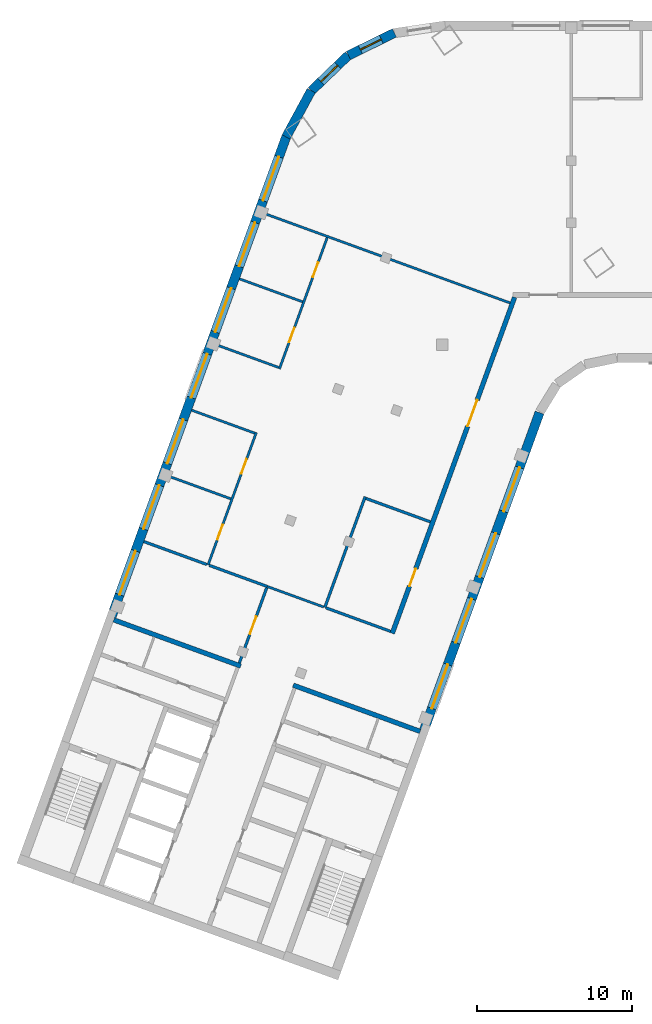
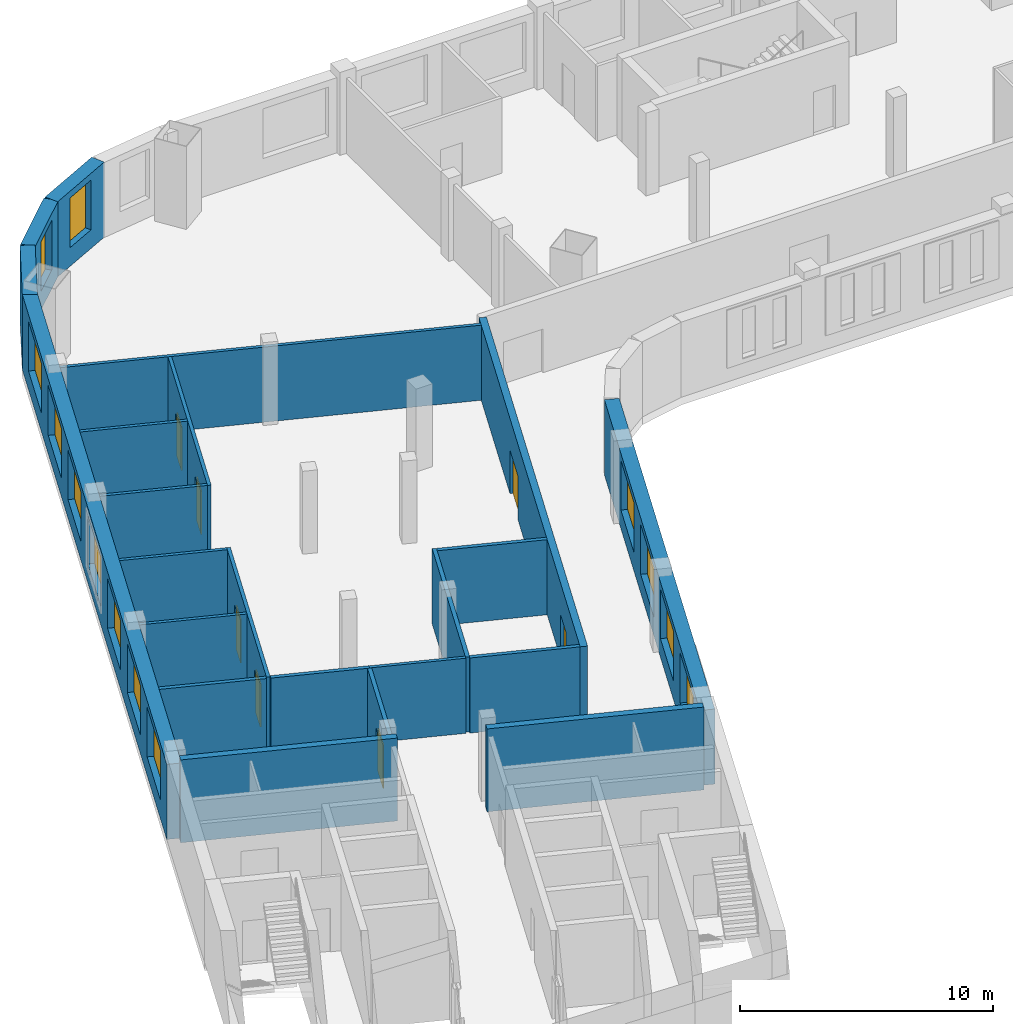
# One storey, part 3 of 8: 22 walls, 13 windows, 7 doors, 20 openings.
"""IFC4 building model written with IfcOpenShell, lengths in metres."""

from ifc_helpers import new_model, si_unit, direction, frame, frame_2d, origin, place, context, subcontext, project, spatial, rectangle, extrude, material, layer, layer_set, type_object, element, fill, save


model = new_model("IFC4")

# Units and contexts
model_context = context("Model", 3, precision=1e-05, world=origin(), true_north=direction((0.0, 1.0)))
body_context = subcontext(model_context, "Body", "Model", "MODEL_VIEW")
ifc_project = project(units=[si_unit("LENGTHUNIT", "METRE"), si_unit("AREAUNIT", "SQUARE_METRE"), si_unit("VOLUMEUNIT", "CUBIC_METRE"), si_unit("PLANEANGLEUNIT", "RADIAN"), si_unit("MASSUNIT", "GRAM", prefix="KILO")], contexts=[model_context])

# Site, building, storey
site_placement = place(None, origin())
site = spatial("IfcSite", under=ifc_project, at=site_placement, CompositionType="ELEMENT")
building_placement = place(site_placement, origin())
building = spatial("IfcBuilding", under=site, at=building_placement, Name="Skarvind Civic Tower", CompositionType="ELEMENT")
storey_placement = place(building_placement, frame((0.0, 0.0, 200.0)))
storey = spatial("IfcBuildingStorey", under=building, at=storey_placement, Name="L47", CompositionType="ELEMENT", Elevation=200.0)

# Walls
ifc_material_1 = material(Name="Acoustic gypsum board on steel studs", Category="steel")
ifc_layer_1 = layer(ifc_material_1, 0.175048828125)
ifc_layer_set_1 = layer_set([ifc_layer_1], Name="ACOUSTIC MEETING-ROOM PARTITION 175")
wall_type_1 = type_object("IfcWallType", Name="ACOUSTIC MEETING-ROOM PARTITION 175", PredefinedType="PARTITIONING", material=ifc_layer_set_1)
wall_1_placement = place(storey_placement, frame((26.736083984375, 105.47998046875, 0.0), z_axis=(0.0, 0.0, 1.0), x_axis=(0.939677739056, -0.342061027776, 0.0)))
element("IfcWall", 1, at=wall_1_placement, inside=storey, type_object=wall_type_1, Name="Partition 47.001", PredefinedType="PARTITIONING", context=body_context, shape_type="SweptSolid", body=[
    extrude(rectangle(XDim=4.315185546875, YDim=0.175048828125, at=frame_2d((2.15771484375, 0.0))), origin(), (0.0, 0.0, 1.0), 3.625),
])
wall_2_placement = place(storey_placement, frame((30.949951171875, 103.946044921875, 0.0), z_axis=(0.0, 0.0, 1.0), x_axis=(0.939739492658, -0.341891336449, 0.0)))
element("IfcWall", 2, at=wall_2_placement, inside=storey, type_object=wall_type_1, Name="Partition 47.004", PredefinedType="PARTITIONING", context=body_context, shape_type="SweptSolid", body=[
    extrude(rectangle(XDim=3.966064453125, YDim=0.175048828125, at=frame_2d((1.98291015625, 0.0))), origin(), (0.0, 0.0, 1.0), 3.625),
])

# Wall, opening, door
wall_3_placement = place(storey_placement, frame((32.881103515625, 97.656982421875, 0.0), z_axis=(0.0, 0.0, 1.0), x_axis=(0.342058204353, 0.939678766832, 0.0)))
wall_3 = element("IfcWall", 3, at=wall_3_placement, inside=storey, type_object=wall_type_1, Name="Partition 47.008", PredefinedType="PARTITIONING", context=body_context, shape_type="SweptSolid", body=[
    extrude(rectangle(XDim=5.16259765625, YDim=0.175048828125, at=frame_2d((2.581298828125, 0.0))), origin(), (0.0, 0.0, 1.0), 3.625),
])
opening_1_placement = place(wall_3_placement, frame((1.9912109375, 0.0, 0.0)))
opening_1 = element("IfcOpeningElement", 4, at=opening_1_placement, cuts=wall_3, Name="Opening L47-D011", PredefinedType="OPENING", context=body_context, shape_type="SweptSolid", body=[
    extrude(rectangle(XDim=1.199951171875, YDim=2.10009765625, at=frame_2d((0.60009765625, 1.050048828125))), frame((0.0, 0.097412109375, 0.0), z_axis=(0.0, -1.0, 0.0), x_axis=(1.0, 0.0, 0.0)), (0.0, 0.0, 1.0), 0.195068359375),
])
ifc_material_2 = material(Name="Timber door leaf", Category="wood")
door_type_1 = type_object("IfcDoorType", Name="DOOR 1200X2100 DOUBLE TIMBER", OperationType="NOTDEFINED", PredefinedType="DOOR", material=ifc_material_2)
door_1_placement = place(opening_1_placement, origin())
door_1 = element("IfcDoor", 5, at=door_1_placement, inside=storey, type_object=door_type_1, Name="Door L47-D011", OperationType="DOUBLE_DOOR_SINGLE_SWING", OverallHeight=2.10009765625, OverallWidth=1.199951171875, PredefinedType="DOOR", context=body_context, shape_type="SweptSolid", body=[
    extrude(rectangle(XDim=1.199951171875, YDim=2.10009765625, at=frame_2d((0.60009765625, 1.050048828125))), frame((0.0, 0.02490234375, 0.0), z_axis=(0.0, -1.0, 0.0), x_axis=(1.0, 0.0, 0.0)), (0.0, 0.0, 1.0), 0.050048828125),
])
fill(opening_1, door_1)

# Walls
wall_4_placement = place(storey_placement, frame((38.455078125, 101.214111328125, 0.0), z_axis=(0.0, 0.0, 1.0), x_axis=(0.939738687483, -0.341893549585, 0.0)))
element("IfcWall", 6, at=wall_4_placement, inside=storey, type_object=wall_type_1, Name="Partition 47.012", PredefinedType="PARTITIONING", context=body_context, shape_type="SweptSolid", body=[
    extrude(rectangle(XDim=4.4287109375, YDim=0.175048828125, at=frame_2d((2.21435546875, 0.0))), origin(), (0.0, 0.0, 1.0), 3.625),
])
wall_5_placement = place(storey_placement, frame((40.98291015625, 108.368896484375, 0.0), z_axis=(0.0, 0.0, 1.0), x_axis=(-0.342009155387, -0.939696619996, 0.0)))
element("IfcWall", 7, at=wall_5_placement, inside=storey, type_object=wall_type_1, Name="Partition 47.013", PredefinedType="PARTITIONING", context=body_context, shape_type="SweptSolid", body=[
    extrude(rectangle(XDim=7.58740234375, YDim=0.175048828125, at=frame_2d((3.793701171875, 0.0))), origin(), (0.0, 0.0, 1.0), 3.625),
])
wall_6_placement = place(storey_placement, frame((45.181884765625, 106.748046875, 0.0), z_axis=(0.0, 0.0, 1.0), x_axis=(-0.939717482524, 0.341951828534, 0.0)))
element("IfcWall", 8, at=wall_6_placement, inside=storey, type_object=wall_type_1, Name="Partition 47.015", PredefinedType="PARTITIONING", context=body_context, shape_type="SweptSolid", body=[
    extrude(rectangle(XDim=4.4130859375, YDim=0.175048828125, at=frame_2d((2.20654296875, 0.0))), origin(), (0.0, 0.0, 1.0), 3.625),
])

# Wall, openings, doors
ifc_material_3 = material(Name="Fire-rated gypsum board on steel studs", Category="steel")
ifc_layer_2 = layer(ifc_material_3, 0.300048828125)
ifc_layer_set_2 = layer_set([ifc_layer_2], Name="CORRIDOR WALL 300")
wall_type_2 = type_object("IfcWallType", Name="CORRIDOR WALL 300", PredefinedType="PARTITIONING", material=ifc_layer_set_2)
wall_7_placement = place(storey_placement, frame((42.72802734375, 99.56689453125, 0.0), z_axis=(0.0, 0.0, 1.0), x_axis=(0.342015412648, 0.939694342598, 0.0)))
wall_7 = element("IfcWall", 9, at=wall_7_placement, inside=storey, type_object=wall_type_2, Name="Partition 47.014", PredefinedType="PARTITIONING", context=body_context, shape_type="SweptSolid", body=[
    extrude(rectangle(XDim=23.031005859375, YDim=0.300048828125, at=frame_2d((11.515625, 0.0))), origin(), (0.0, 0.0, 1.0), 3.625),
])
opening_2_placement = place(wall_7_placement, frame((3.2373046875, 0.0, 0.0)))
opening_2 = element("IfcOpeningElement", 10, at=opening_2_placement, cuts=wall_7, Name="Opening L47-D012", PredefinedType="OPENING", context=body_context, shape_type="SweptSolid", body=[
    extrude(rectangle(XDim=1.199951171875, YDim=2.10009765625, at=frame_2d((0.60009765625, 1.050048828125))), frame((0.0, 0.159912109375, 0.0), z_axis=(0.0, -1.0, 0.0), x_axis=(1.0, 0.0, 0.0)), (0.0, 0.0, 1.0), 0.320068359375),
])
opening_3_placement = place(wall_7_placement, frame((14.187255859375, 0.0, 0.0)))
opening_3 = element("IfcOpeningElement", 11, at=opening_3_placement, cuts=wall_7, Name="Opening L47-D017", PredefinedType="OPENING", context=body_context, shape_type="SweptSolid", body=[
    extrude(rectangle(XDim=1.800048828125, YDim=2.10009765625, at=frame_2d((0.89990234375, 1.050048828125))), frame((0.0, 0.159912109375, 0.0), z_axis=(0.0, -1.0, 0.0), x_axis=(1.0, 0.0, 0.0)), (0.0, 0.0, 1.0), 0.320068359375),
])
ifc_material_4 = material(Name="Fire-rated timber door leaf", Category="wood")
door_type_2 = type_object("IfcDoorType", Name="FD4 1800x2100", OperationType="NOTDEFINED", PredefinedType="DOOR", material=ifc_material_4)
door_2_placement = place(opening_3_placement, origin())
door_2 = element("IfcDoor", 12, at=door_2_placement, inside=storey, type_object=door_type_2, Name="Door L47-D017", OperationType="DOUBLE_DOOR_SINGLE_SWING", OverallHeight=2.10009765625, OverallWidth=1.800048828125, PredefinedType="DOOR", context=body_context, shape_type="SweptSolid", body=[
    extrude(rectangle(XDim=1.800048828125, YDim=2.10009765625, at=frame_2d((0.89990234375, 1.050048828125))), frame((0.0, 0.02490234375, 0.0), z_axis=(0.0, -1.0, 0.0), x_axis=(1.0, 0.0, 0.0)), (0.0, 0.0, 1.0), 0.050048828125),
])
fill(opening_3, door_2)
door_type_3 = type_object("IfcDoorType", Name="FD6 1200x2100 DOUBLE", OperationType="NOTDEFINED", PredefinedType="DOOR", material=ifc_material_4)
door_3_placement = place(opening_2_placement, origin())
door_3 = element("IfcDoor", 13, at=door_3_placement, inside=storey, type_object=door_type_3, Name="Door L47-D012", OperationType="DOUBLE_DOOR_SINGLE_SWING", OverallHeight=2.10009765625, OverallWidth=1.199951171875, PredefinedType="DOOR", context=body_context, shape_type="SweptSolid", body=[
    extrude(rectangle(XDim=1.199951171875, YDim=2.10009765625, at=frame_2d((0.60009765625, 1.050048828125))), frame((0.0, 0.02490234375, 0.0), z_axis=(0.0, -1.0, 0.0), x_axis=(1.0, 0.0, 0.0)), (0.0, 0.0, 1.0), 0.050048828125),
])
fill(opening_2, door_3)

# Walls
ifc_material_5 = material(Name="Concrete C60", Category="concrete")
ifc_layer_3 = layer(ifc_material_5, 0.300048828125)
ifc_layer_set_3 = layer_set([ifc_layer_3], Name="Core wall 300 C60")
wall_type_3 = type_object("IfcWallType", Name="Core wall 300 C60", PredefinedType="SHEAR", material=ifc_layer_set_3)
wall_8_placement = place(storey_placement, frame((44.52880859375, 93.258056640625, 0.0), z_axis=(0.0, 0.0, 1.0), x_axis=(-0.9396917844, 0.342022441267, 0.0)))
element("IfcWall", 14, at=wall_8_placement, inside=storey, type_object=wall_type_3, Name="Core wall C2 south inner face L47", PredefinedType="SHEAR", context=body_context, shape_type="SweptSolid", body=[
    extrude(rectangle(XDim=8.699951171875, YDim=0.300048828125, at=frame_2d((4.35009765625, 0.0))), origin(), (0.0, 0.0, 1.0), 4.0),
])
wall_9_placement = place(storey_placement, frame((32.970703125, 97.46484375, 0.0), z_axis=(0.0, 0.0, 1.0), x_axis=(-0.939695066972, 0.34201342241, 0.0)))
element("IfcWall", 15, at=wall_9_placement, inside=storey, type_object=wall_type_3, Name="Core wall C2 north inner face L47", PredefinedType="SHEAR", context=body_context, shape_type="SweptSolid", body=[
    extrude(rectangle(XDim=8.7001953125, YDim=0.300048828125, at=frame_2d((4.35009765625, 0.0))), origin(), (0.0, 0.0, 1.0), 4.0),
])
ifc_material_6 = material(Name="Plasterboard partition on steel studs", Category="steel")
ifc_layer_4 = layer(ifc_material_6, 0.14990234375)
ifc_layer_set_4 = layer_set([ifc_layer_4], Name="PARTITION 150")
wall_type_4 = type_object("IfcWallType", Name="PARTITION 150", PredefinedType="PARTITIONING", material=ifc_layer_set_4)
wall_10_placement = place(storey_placement, frame((28.27490234375, 109.708984375, 0.0), z_axis=(0.0, 0.0, 1.0), x_axis=(0.939737385516, -0.341897128188, 0.0)))
element("IfcWall", 16, at=wall_10_placement, inside=storey, type_object=wall_type_4, Name="Partition 47.002", PredefinedType="PARTITIONING", context=body_context, shape_type="SweptSolid", body=[
    extrude(rectangle(XDim=4.325927734375, YDim=0.14990234375, at=frame_2d((2.1630859375, 0.0))), origin(), (0.0, 0.0, 1.0), 3.625),
])
for number, where, z_axis, x_axis, name in (
    (17, (29.81396484375, 113.93798828125, 0.0), (0.0, 0.0, 1.0), (0.93973078783, -0.341915262023, 0.0), "Partition 47.003"),
    (18, (32.89208984375, 122.39501953125, 0.0), (0.0, 0.0, 1.0), (0.93973078783, -0.341915262023, 0.0), "Partition 47.005"),
):
    element("IfcWall", number, at=place(storey_placement, frame(where, z_axis=z_axis, x_axis=x_axis)), inside=storey, type_object=wall_type_4, Name=name, PredefinedType="PARTITIONING", context=body_context, shape_type="SweptSolid", body=[
        extrude(rectangle(XDim=4.32568359375, YDim=0.14990234375, at=frame_2d((2.162841796875, 0.0))), origin(), (0.0, 0.0, 1.0), 3.625),
    ])

# Wall, openings, doors
wall_11_placement = place(storey_placement, frame((33.97509765625, 112.5029296875, 0.0), z_axis=(0.0, 0.0, 1.0), x_axis=(-0.342067078165, -0.939675536574, 0.0)))
wall_11 = element("IfcWall", 19, at=wall_11_placement, inside=storey, type_object=wall_type_4, Name="Partition 47.006", PredefinedType="PARTITIONING", context=body_context, shape_type="SweptSolid", body=[
    extrude(rectangle(XDim=9.07421875, YDim=0.14990234375, at=frame_2d((4.537109375, 0.0))), origin(), (0.0, 0.0, 1.0), 3.625),
])
opening_4_placement = place(wall_11_placement, frame((6.32470703125, 0.0, 0.0)))
opening_4 = element("IfcOpeningElement", 20, at=opening_4_placement, cuts=wall_11, Name="Opening L47-D013", PredefinedType="OPENING", context=body_context, shape_type="SweptSolid", body=[
    extrude(rectangle(XDim=1.0, YDim=2.10009765625, at=frame_2d((0.5, 1.050048828125))), frame((0.0, 0.0849609375, 0.0), z_axis=(0.0, -1.0, 0.0), x_axis=(1.0, 0.0, 0.0)), (0.0, 0.0, 1.0), 0.169921875),
])
opening_5_placement = place(wall_11_placement, frame((1.82470703125, 0.0, 0.0)))
opening_5 = element("IfcOpeningElement", 21, at=opening_5_placement, cuts=wall_11, Name="Opening L47-D014", PredefinedType="OPENING", context=body_context, shape_type="SweptSolid", body=[
    extrude(rectangle(XDim=1.0, YDim=2.10009765625, at=frame_2d((0.5, 1.050048828125))), frame((0.0, 0.0849609375, 0.0), z_axis=(0.0, -1.0, 0.0), x_axis=(1.0, 0.0, 0.0)), (0.0, 0.0, 1.0), 0.169921875),
])
door_type_4 = type_object("IfcDoorType", Name="D1 1000x2100", OperationType="NOTDEFINED", PredefinedType="DOOR", material=ifc_material_2)
door_4_placement = place(opening_4_placement, origin())
door_4 = element("IfcDoor", 22, at=door_4_placement, inside=storey, type_object=door_type_4, Name="Door L47-D013", OperationType="SINGLE_SWING_LEFT", OverallHeight=2.10009765625, OverallWidth=1.0, PredefinedType="DOOR", context=body_context, shape_type="SweptSolid", body=[
    extrude(rectangle(XDim=1.0, YDim=2.10009765625, at=frame_2d((0.5, 1.050048828125))), frame((0.0, 0.02490234375, 0.0), z_axis=(0.0, -1.0, 0.0), x_axis=(1.0, 0.0, 0.0)), (0.0, 0.0, 1.0), 0.050048828125),
])
fill(opening_4, door_4)
door_5_placement = place(opening_5_placement, origin())
door_5 = element("IfcDoor", 23, at=door_5_placement, inside=storey, type_object=door_type_4, Name="Door L47-D014", OperationType="SINGLE_SWING_LEFT", OverallHeight=2.10009765625, OverallWidth=1.0, PredefinedType="DOOR", context=body_context, shape_type="SweptSolid", body=[
    extrude(rectangle(XDim=1.0, YDim=2.10009765625, at=frame_2d((0.5, 1.050048828125))), frame((0.0, 0.02490234375, 0.0), z_axis=(0.0, -1.0, 0.0), x_axis=(1.0, 0.0, 0.0)), (0.0, 0.0, 1.0), 0.050048828125),
])
fill(opening_5, door_5)

# Walls
wall_12_placement = place(storey_placement, frame((34.430908203125, 126.6240234375, 0.0), z_axis=(0.0, 0.0, 1.0), x_axis=(0.939678226331, -0.342059689177, 0.0)))
element("IfcWall", 24, at=wall_12_placement, inside=storey, type_object=wall_type_4, Name="Partition 47.007", PredefinedType="PARTITIONING", context=body_context, shape_type="SweptSolid", body=[
    extrude(rectangle(XDim=16.900634765625, YDim=0.14990234375, at=frame_2d((8.4501953125, 0.0))), origin(), (0.0, 0.0, 1.0), 3.625),
])
wall_13_placement = place(storey_placement, frame((34.677001953125, 102.590087890625, 0.0), z_axis=(0.0, 0.0, 1.0), x_axis=(0.939688259666, -0.342032125166, 0.0)))
element("IfcWall", 25, at=wall_13_placement, inside=storey, type_object=wall_type_4, Name="Partition 47.009", PredefinedType="PARTITIONING", context=body_context, shape_type="SweptSolid", body=[
    extrude(rectangle(XDim=3.865234375, YDim=0.14990234375, at=frame_2d((1.9326171875, 0.0))), origin(), (0.0, 0.0, 1.0), 3.625),
])
wall_14_placement = place(storey_placement, frame((35.41796875, 116.68798828125, 0.0), z_axis=(0.0, 0.0, 1.0), x_axis=(-0.939803311208, 0.341715870634, 0.0)))
element("IfcWall", 26, at=wall_14_placement, inside=storey, type_object=wall_type_4, Name="Partition 47.010", PredefinedType="PARTITIONING", context=body_context, shape_type="SweptSolid", body=[
    extrude(rectangle(XDim=4.3251953125, YDim=0.14990234375, at=frame_2d((2.16259765625, 0.0))), origin(), (0.0, 0.0, 1.0), 3.625),
])

# Wall, openings, doors
wall_15_placement = place(storey_placement, frame((38.5400390625, 125.049072265625, 0.0), z_axis=(0.0, 0.0, 1.0), x_axis=(-0.3420218461, -0.939692001025, 0.0)))
wall_15 = element("IfcWall", 27, at=wall_15_placement, inside=storey, type_object=wall_type_4, Name="Partition 47.011", PredefinedType="PARTITIONING", context=body_context, shape_type="SweptSolid", body=[
    extrude(rectangle(XDim=8.999755859375, YDim=0.14990234375, at=frame_2d((4.5, 0.0))), origin(), (0.0, 0.0, 1.0), 3.625),
])
opening_6_placement = place(wall_15_placement, frame((6.17529296875, 0.0, 0.0)))
opening_6 = element("IfcOpeningElement", 28, at=opening_6_placement, cuts=wall_15, Name="Opening L47-D015", PredefinedType="OPENING", context=body_context, shape_type="SweptSolid", body=[
    extrude(rectangle(XDim=1.0, YDim=2.10009765625, at=frame_2d((0.5, 1.050048828125))), frame((0.0, 0.0849609375, 0.0), z_axis=(0.0, -1.0, 0.0), x_axis=(1.0, 0.0, 0.0)), (0.0, 0.0, 1.0), 0.169921875),
])
opening_7_placement = place(wall_15_placement, frame((1.70263671875, 0.0, 0.0)))
opening_7 = element("IfcOpeningElement", 29, at=opening_7_placement, cuts=wall_15, Name="Opening L47-D016", PredefinedType="OPENING", context=body_context, shape_type="SweptSolid", body=[
    extrude(rectangle(XDim=1.0, YDim=2.10009765625, at=frame_2d((0.5, 1.050048828125))), frame((0.0, 0.0849609375, 0.0), z_axis=(0.0, -1.0, 0.0), x_axis=(1.0, 0.0, 0.0)), (0.0, 0.0, 1.0), 0.169921875),
])
door_6_placement = place(opening_6_placement, origin())
door_6 = element("IfcDoor", 30, at=door_6_placement, inside=storey, type_object=door_type_4, Name="Door L47-D015", OperationType="SINGLE_SWING_RIGHT", OverallHeight=2.10009765625, OverallWidth=1.0, PredefinedType="DOOR", context=body_context, shape_type="SweptSolid", body=[
    extrude(rectangle(XDim=1.0, YDim=2.10009765625, at=frame_2d((0.5, 1.050048828125))), frame((0.0, 0.02490234375, 0.0), z_axis=(0.0, -1.0, 0.0), x_axis=(1.0, 0.0, 0.0)), (0.0, 0.0, 1.0), 0.050048828125),
])
fill(opening_6, door_6)
door_7_placement = place(opening_7_placement, origin())
door_7 = element("IfcDoor", 31, at=door_7_placement, inside=storey, type_object=door_type_4, Name="Door L47-D016", OperationType="SINGLE_SWING_LEFT", OverallHeight=2.10009765625, OverallWidth=1.0, PredefinedType="DOOR", context=body_context, shape_type="SweptSolid", body=[
    extrude(rectangle(XDim=1.0, YDim=2.10009765625, at=frame_2d((0.5, 1.050048828125))), frame((0.0, 0.02490234375, 0.0), z_axis=(0.0, -1.0, 0.0), x_axis=(1.0, 0.0, 0.0)), (0.0, 0.0, 1.0), 0.050048828125),
])
fill(opening_7, door_7)

# Wall, openings, windows
ifc_material_7 = material(Name="Limestone masonry cladding on insulated backing", Category="masonry")
ifc_layer_5 = layer(ifc_material_7, 0.60009765625)
ifc_layer_set_5 = layer_set([ifc_layer_5], Name="WX1 STONE FACADE WALL 600")
wall_type_5 = type_object("IfcWallType", Name="WX1 STONE FACADE WALL 600", PredefinedType="SOLIDWALL", material=ifc_layer_set_5)
wall_16_placement = place(storey_placement, frame((52.212158203125, 113.78271484375, 0.0), z_axis=(0.0, 0.0, 1.0), x_axis=(-0.34202521188, -0.939690775968, 0.0)))
wall_16 = element("IfcWall", 32, at=wall_16_placement, inside=storey, type_object=wall_type_5, Name="STONE FACADE WALL", PredefinedType="SOLIDWALL", context=body_context, shape_type="SweptSolid", body=[
    extrude(rectangle(XDim=21.744873046875, YDim=0.60009765625, at=frame_2d((10.87255859375, 0.0))), origin(), (0.0, 0.0, 1.0), 3.625),
])
opening_8_placement = place(wall_16_placement, frame((3.764892578125, 0.0, 0.89990234375)))
opening_8 = element("IfcOpeningElement", 33, at=opening_8_placement, cuts=wall_16, Name="Opening WN1", PredefinedType="OPENING", context=body_context, shape_type="SweptSolid", body=[
    extrude(rectangle(XDim=3.0, YDim=2.39990234375, at=frame_2d((1.5, 1.199951171875))), frame((0.0, 0.31005859375, 0.0), z_axis=(0.0, -1.0, 0.0), x_axis=(1.0, 0.0, 0.0)), (0.0, 0.0, 1.0), 0.6201171875),
])
opening_9_placement = place(wall_16_placement, frame((8.264892578125, 0.0, 0.89990234375)))
opening_9 = element("IfcOpeningElement", 34, at=opening_9_placement, cuts=wall_16, Name="Opening WN1", PredefinedType="OPENING", context=body_context, shape_type="SweptSolid", body=[
    extrude(rectangle(XDim=3.0, YDim=2.39990234375, at=frame_2d((1.5, 1.199951171875))), frame((0.0, 0.31005859375, 0.0), z_axis=(0.0, -1.0, 0.0), x_axis=(1.0, 0.0, 0.0)), (0.0, 0.0, 1.0), 0.6201171875),
])
opening_10_placement = place(wall_16_placement, frame((12.764892578125, 0.0, 0.89990234375)))
opening_10 = element("IfcOpeningElement", 35, at=opening_10_placement, cuts=wall_16, Name="Opening WN1", PredefinedType="OPENING", context=body_context, shape_type="SweptSolid", body=[
    extrude(rectangle(XDim=3.0, YDim=2.39990234375, at=frame_2d((1.5, 1.199951171875))), frame((0.0, 0.31005859375, 0.0), z_axis=(0.0, -1.0, 0.0), x_axis=(1.0, 0.0, 0.0)), (0.0, 0.0, 1.0), 0.6201171875),
])
opening_11_placement = place(wall_16_placement, frame((17.264892578125, 0.0, 0.89990234375)))
opening_11 = element("IfcOpeningElement", 36, at=opening_11_placement, cuts=wall_16, Name="Opening WN1", PredefinedType="OPENING", context=body_context, shape_type="SweptSolid", body=[
    extrude(rectangle(XDim=3.0, YDim=2.39990234375, at=frame_2d((1.5, 1.199951171875))), frame((0.0, 0.31005859375, 0.0), z_axis=(0.0, -1.0, 0.0), x_axis=(1.0, 0.0, 0.0)), (0.0, 0.0, 1.0), 0.6201171875),
])
ifc_material_8 = material(Name="Timber frame, double glazing, timber-lined reveal", Category="wood")
window_type_1 = type_object("IfcWindowType", Name="WN1 PUNCHED STONE WINDOW 3000 x 2400", PartitioningType="SINGLE_PANEL", PredefinedType="WINDOW", material=ifc_material_8)
window_1_placement = place(opening_8_placement, origin())
window_1 = element("IfcWindow", 37, at=window_1_placement, inside=storey, type_object=window_type_1, Name="WN1 WINDOW", OverallHeight=2.39990234375, OverallWidth=3.0, PartitioningType="SINGLE_PANEL", PredefinedType="WINDOW", context=body_context, shape_type="SweptSolid", body=[
    extrude(rectangle(XDim=3.0, YDim=2.39990234375, at=frame_2d((1.5, 1.199951171875))), frame((0.0, 0.030029296875, 0.0), z_axis=(0.0, -1.0, 0.0), x_axis=(1.0, 0.0, 0.0)), (0.0, 0.0, 1.0), 0.06005859375),
])
fill(opening_8, window_1)
window_2_placement = place(opening_9_placement, origin())
window_2 = element("IfcWindow", 38, at=window_2_placement, inside=storey, type_object=window_type_1, Name="WN1 WINDOW", OverallHeight=2.39990234375, OverallWidth=3.0, PartitioningType="SINGLE_PANEL", PredefinedType="WINDOW", context=body_context, shape_type="SweptSolid", body=[
    extrude(rectangle(XDim=3.0, YDim=2.39990234375, at=frame_2d((1.5, 1.199951171875))), frame((0.0, 0.030029296875, 0.0), z_axis=(0.0, -1.0, 0.0), x_axis=(1.0, 0.0, 0.0)), (0.0, 0.0, 1.0), 0.06005859375),
])
fill(opening_9, window_2)
window_3_placement = place(opening_10_placement, origin())
window_3 = element("IfcWindow", 39, at=window_3_placement, inside=storey, type_object=window_type_1, Name="WN1 WINDOW", OverallHeight=2.39990234375, OverallWidth=3.0, PartitioningType="SINGLE_PANEL", PredefinedType="WINDOW", context=body_context, shape_type="SweptSolid", body=[
    extrude(rectangle(XDim=3.0, YDim=2.39990234375, at=frame_2d((1.5, 1.199951171875))), frame((0.0, 0.030029296875, 0.0), z_axis=(0.0, -1.0, 0.0), x_axis=(1.0, 0.0, 0.0)), (0.0, 0.0, 1.0), 0.06005859375),
])
fill(opening_10, window_3)
window_4_placement = place(opening_11_placement, origin())
window_4 = element("IfcWindow", 40, at=window_4_placement, inside=storey, type_object=window_type_1, Name="WN1 WINDOW", OverallHeight=2.39990234375, OverallWidth=3.0, PartitioningType="SINGLE_PANEL", PredefinedType="WINDOW", context=body_context, shape_type="SweptSolid", body=[
    extrude(rectangle(XDim=3.0, YDim=2.39990234375, at=frame_2d((1.5, 1.199951171875))), frame((0.0, 0.030029296875, 0.0), z_axis=(0.0, -1.0, 0.0), x_axis=(1.0, 0.0, 0.0)), (0.0, 0.0, 1.0), 0.06005859375),
])
fill(opening_11, window_4)

# Wall, opening, window
wall_17_placement = place(storey_placement, frame((39.9072265625, 136.77587890625, 0.0), z_axis=(0.0, 0.0, 1.0), x_axis=(0.89761231107, 0.440785819889, 0.0)))
wall_17 = element("IfcWall", 41, at=wall_17_placement, inside=storey, type_object=wall_type_5, Name="STONE FACADE WALL", PredefinedType="SOLIDWALL", context=body_context, shape_type="SweptSolid", body=[
    extrude(rectangle(XDim=3.302734375, YDim=0.60009765625, at=frame_2d((1.6513671875, 0.0))), origin(), (0.0, 0.0, 1.0), 3.625),
])
opening_12_placement = place(wall_17_placement, frame((0.8564453125, 0.0, 0.89990234375)))
opening_12 = element("IfcOpeningElement", 42, at=opening_12_placement, cuts=wall_17, Name="Opening WN8", PredefinedType="OPENING", context=body_context, shape_type="SweptSolid", body=[
    extrude(rectangle(XDim=1.5, YDim=2.39990234375, at=frame_2d((0.75, 1.199951171875))), frame((0.0, 0.31005859375, 0.0), z_axis=(0.0, -1.0, 0.0), x_axis=(1.0, 0.0, 0.0)), (0.0, 0.0, 1.0), 0.6201171875),
])
window_type_2 = type_object("IfcWindowType", Name="WN8 ARC BAY WINDOW 1500 x 2400", PartitioningType="SINGLE_PANEL", PredefinedType="WINDOW", material=ifc_material_8)
window_5_placement = place(opening_12_placement, origin())
window_5 = element("IfcWindow", 43, at=window_5_placement, inside=storey, type_object=window_type_2, Name="WN8 WINDOW", OverallHeight=2.39990234375, OverallWidth=1.5, PartitioningType="SINGLE_PANEL", PredefinedType="WINDOW", context=body_context, shape_type="SweptSolid", body=[
    extrude(rectangle(XDim=1.5, YDim=2.39990234375, at=frame_2d((0.75, 1.199951171875))), frame((0.0, 0.030029296875, 0.0), z_axis=(0.0, -1.0, 0.0), x_axis=(1.0, 0.0, 0.0)), (0.0, 0.0, 1.0), 0.06005859375),
])
fill(opening_12, window_5)

wall_18_placement = place(storey_placement, frame((37.520263671875, 134.501220703125, 0.0), z_axis=(0.0, 0.0, 1.0), x_axis=(0.72115684486, 0.692771827596, 0.0)))
wall_18 = element("IfcWall", 44, at=wall_18_placement, inside=storey, type_object=wall_type_5, Name="STONE FACADE WALL", PredefinedType="SOLIDWALL", context=body_context, shape_type="SweptSolid", body=[
    extrude(rectangle(XDim=3.302734375, YDim=0.60009765625, at=frame_2d((1.6513671875, 0.0))), origin(), (0.0, 0.0, 1.0), 3.625),
])
opening_13_placement = place(wall_18_placement, frame((0.8564453125, 0.0, 0.89990234375)))
opening_13 = element("IfcOpeningElement", 45, at=opening_13_placement, cuts=wall_18, Name="Opening WN8", PredefinedType="OPENING", context=body_context, shape_type="SweptSolid", body=[
    extrude(rectangle(XDim=1.5, YDim=2.39990234375, at=frame_2d((0.75, 1.199951171875))), frame((0.0, 0.31005859375, 0.0), z_axis=(0.0, -1.0, 0.0), x_axis=(1.0, 0.0, 0.0)), (0.0, 0.0, 1.0), 0.6201171875),
])
window_6_placement = place(opening_13_placement, origin())
window_6 = element("IfcWindow", 46, at=window_6_placement, inside=storey, type_object=window_type_2, Name="WN8 WINDOW", OverallHeight=2.39990234375, OverallWidth=1.5, PartitioningType="SINGLE_PANEL", PredefinedType="WINDOW", context=body_context, shape_type="SweptSolid", body=[
    extrude(rectangle(XDim=1.5, YDim=2.39990234375, at=frame_2d((0.75, 1.199951171875))), frame((0.0, 0.030029296875, 0.0), z_axis=(0.0, -1.0, 0.0), x_axis=(1.0, 0.0, 0.0)), (0.0, 0.0, 1.0), 0.06005859375),
])
fill(opening_13, window_6)

# Wall
wall_19_placement = place(storey_placement, frame((35.89453125, 131.529541015625, 0.0), z_axis=(0.0, 0.0, 1.0), x_axis=(0.476531180538, 0.879157570618, 0.0)))
element("IfcWall", 47, at=wall_19_placement, inside=storey, type_object=wall_type_5, Name="STONE FACADE WALL", PredefinedType="SOLIDWALL", context=body_context, shape_type="SweptSolid", body=[
    extrude(rectangle(XDim=3.392578125, YDim=0.60009765625, at=frame_2d((1.6962890625, 0.0))), origin(), (0.0, 0.0, 1.0), 3.625),
])

# Wall, openings, windows
wall_20_placement = place(storey_placement, frame((24.66552734375, 100.668701171875, 0.0), z_axis=(0.0, 0.0, 1.0), x_axis=(0.34201964167, 0.939692803373, 0.0)))
wall_20 = element("IfcWall", 48, at=wall_20_placement, inside=storey, type_object=wall_type_5, Name="STONE FACADE WALL", PredefinedType="SOLIDWALL", context=body_context, shape_type="SweptSolid", body=[
    extrude(rectangle(XDim=32.88427734375, YDim=0.60009765625, at=frame_2d((16.442138671875, 0.0))), origin(), (0.0, 0.0, 1.0), 3.625),
])
opening_14_placement = place(wall_20_placement, frame((1.47998046875, 0.0, 0.89990234375)))
opening_14 = element("IfcOpeningElement", 49, at=opening_14_placement, cuts=wall_20, Name="Opening WN1", PredefinedType="OPENING", context=body_context, shape_type="SweptSolid", body=[
    extrude(rectangle(XDim=3.0, YDim=2.39990234375, at=frame_2d((1.5, 1.199951171875))), frame((0.0, 0.31005859375, 0.0), z_axis=(0.0, -1.0, 0.0), x_axis=(1.0, 0.0, 0.0)), (0.0, 0.0, 1.0), 0.6201171875),
])
opening_15_placement = place(wall_20_placement, frame((5.97998046875, 0.0, 0.89990234375)))
opening_15 = element("IfcOpeningElement", 50, at=opening_15_placement, cuts=wall_20, Name="Opening WN1", PredefinedType="OPENING", context=body_context, shape_type="SweptSolid", body=[
    extrude(rectangle(XDim=3.0, YDim=2.39990234375, at=frame_2d((1.5, 1.199951171875))), frame((0.0, 0.31005859375, 0.0), z_axis=(0.0, -1.0, 0.0), x_axis=(1.0, 0.0, 0.0)), (0.0, 0.0, 1.0), 0.6201171875),
])
opening_16_placement = place(wall_20_placement, frame((10.47998046875, 0.0, 0.89990234375)))
opening_16 = element("IfcOpeningElement", 51, at=opening_16_placement, cuts=wall_20, Name="Opening WN1", PredefinedType="OPENING", context=body_context, shape_type="SweptSolid", body=[
    extrude(rectangle(XDim=3.0, YDim=2.39990234375, at=frame_2d((1.5, 1.199951171875))), frame((0.0, 0.31005859375, 0.0), z_axis=(0.0, -1.0, 0.0), x_axis=(1.0, 0.0, 0.0)), (0.0, 0.0, 1.0), 0.6201171875),
])
opening_17_placement = place(wall_20_placement, frame((14.97998046875, 0.0, 0.89990234375)))
opening_17 = element("IfcOpeningElement", 52, at=opening_17_placement, cuts=wall_20, Name="Opening WN1", PredefinedType="OPENING", context=body_context, shape_type="SweptSolid", body=[
    extrude(rectangle(XDim=3.0, YDim=2.39990234375, at=frame_2d((1.5, 1.199951171875))), frame((0.0, 0.31005859375, 0.0), z_axis=(0.0, -1.0, 0.0), x_axis=(1.0, 0.0, 0.0)), (0.0, 0.0, 1.0), 0.6201171875),
])
opening_18_placement = place(wall_20_placement, frame((19.47998046875, 0.0, 0.89990234375)))
opening_18 = element("IfcOpeningElement", 53, at=opening_18_placement, cuts=wall_20, Name="Opening WN1", PredefinedType="OPENING", context=body_context, shape_type="SweptSolid", body=[
    extrude(rectangle(XDim=3.0, YDim=2.39990234375, at=frame_2d((1.5, 1.199951171875))), frame((0.0, 0.31005859375, 0.0), z_axis=(0.0, -1.0, 0.0), x_axis=(1.0, 0.0, 0.0)), (0.0, 0.0, 1.0), 0.6201171875),
])
opening_19_placement = place(wall_20_placement, frame((23.97998046875, 0.0, 0.89990234375)))
opening_19 = element("IfcOpeningElement", 54, at=opening_19_placement, cuts=wall_20, Name="Opening WN1", PredefinedType="OPENING", context=body_context, shape_type="SweptSolid", body=[
    extrude(rectangle(XDim=3.0, YDim=2.39990234375, at=frame_2d((1.5, 1.199951171875))), frame((0.0, 0.31005859375, 0.0), z_axis=(0.0, -1.0, 0.0), x_axis=(1.0, 0.0, 0.0)), (0.0, 0.0, 1.0), 0.6201171875),
])
opening_20_placement = place(wall_20_placement, frame((28.47998046875, 0.0, 0.89990234375)))
opening_20 = element("IfcOpeningElement", 55, at=opening_20_placement, cuts=wall_20, Name="Opening WN1", PredefinedType="OPENING", context=body_context, shape_type="SweptSolid", body=[
    extrude(rectangle(XDim=3.0, YDim=2.39990234375, at=frame_2d((1.5, 1.199951171875))), frame((0.0, 0.31005859375, 0.0), z_axis=(0.0, -1.0, 0.0), x_axis=(1.0, 0.0, 0.0)), (0.0, 0.0, 1.0), 0.6201171875),
])
window_7_placement = place(opening_14_placement, origin())
window_7 = element("IfcWindow", 56, at=window_7_placement, inside=storey, type_object=window_type_1, Name="WN1 WINDOW", OverallHeight=2.39990234375, OverallWidth=3.0, PartitioningType="SINGLE_PANEL", PredefinedType="WINDOW", context=body_context, shape_type="SweptSolid", body=[
    extrude(rectangle(XDim=3.0, YDim=2.39990234375, at=frame_2d((1.5, 1.199951171875))), frame((0.0, 0.030029296875, 0.0), z_axis=(0.0, -1.0, 0.0), x_axis=(1.0, 0.0, 0.0)), (0.0, 0.0, 1.0), 0.06005859375),
])
fill(opening_14, window_7)
window_8_placement = place(opening_15_placement, origin())
window_8 = element("IfcWindow", 57, at=window_8_placement, inside=storey, type_object=window_type_1, Name="WN1 WINDOW", OverallHeight=2.39990234375, OverallWidth=3.0, PartitioningType="SINGLE_PANEL", PredefinedType="WINDOW", context=body_context, shape_type="SweptSolid", body=[
    extrude(rectangle(XDim=3.0, YDim=2.39990234375, at=frame_2d((1.5, 1.199951171875))), frame((0.0, 0.030029296875, 0.0), z_axis=(0.0, -1.0, 0.0), x_axis=(1.0, 0.0, 0.0)), (0.0, 0.0, 1.0), 0.06005859375),
])
fill(opening_15, window_8)
window_9_placement = place(opening_16_placement, origin())
window_9 = element("IfcWindow", 58, at=window_9_placement, inside=storey, type_object=window_type_1, Name="WN1 WINDOW", OverallHeight=2.39990234375, OverallWidth=3.0, PartitioningType="SINGLE_PANEL", PredefinedType="WINDOW", context=body_context, shape_type="SweptSolid", body=[
    extrude(rectangle(XDim=3.0, YDim=2.39990234375, at=frame_2d((1.5, 1.199951171875))), frame((0.0, 0.030029296875, 0.0), z_axis=(0.0, -1.0, 0.0), x_axis=(1.0, 0.0, 0.0)), (0.0, 0.0, 1.0), 0.06005859375),
])
fill(opening_16, window_9)
window_10_placement = place(opening_17_placement, origin())
window_10 = element("IfcWindow", 59, at=window_10_placement, inside=storey, type_object=window_type_1, Name="WN1 WINDOW", OverallHeight=2.39990234375, OverallWidth=3.0, PartitioningType="SINGLE_PANEL", PredefinedType="WINDOW", context=body_context, shape_type="SweptSolid", body=[
    extrude(rectangle(XDim=3.0, YDim=2.39990234375, at=frame_2d((1.5, 1.199951171875))), frame((0.0, 0.030029296875, 0.0), z_axis=(0.0, -1.0, 0.0), x_axis=(1.0, 0.0, 0.0)), (0.0, 0.0, 1.0), 0.06005859375),
])
fill(opening_17, window_10)
window_11_placement = place(opening_18_placement, origin())
window_11 = element("IfcWindow", 60, at=window_11_placement, inside=storey, type_object=window_type_1, Name="WN1 WINDOW", OverallHeight=2.39990234375, OverallWidth=3.0, PartitioningType="SINGLE_PANEL", PredefinedType="WINDOW", context=body_context, shape_type="SweptSolid", body=[
    extrude(rectangle(XDim=3.0, YDim=2.39990234375, at=frame_2d((1.5, 1.199951171875))), frame((0.0, 0.030029296875, 0.0), z_axis=(0.0, -1.0, 0.0), x_axis=(1.0, 0.0, 0.0)), (0.0, 0.0, 1.0), 0.06005859375),
])
fill(opening_18, window_11)
window_12_placement = place(opening_19_placement, origin())
window_12 = element("IfcWindow", 61, at=window_12_placement, inside=storey, type_object=window_type_1, Name="WN1 WINDOW", OverallHeight=2.39990234375, OverallWidth=3.0, PartitioningType="SINGLE_PANEL", PredefinedType="WINDOW", context=body_context, shape_type="SweptSolid", body=[
    extrude(rectangle(XDim=3.0, YDim=2.39990234375, at=frame_2d((1.5, 1.199951171875))), frame((0.0, 0.030029296875, 0.0), z_axis=(0.0, -1.0, 0.0), x_axis=(1.0, 0.0, 0.0)), (0.0, 0.0, 1.0), 0.06005859375),
])
fill(opening_19, window_12)
window_13_placement = place(opening_20_placement, origin())
window_13 = element("IfcWindow", 62, at=window_13_placement, inside=storey, type_object=window_type_1, Name="WN1 WINDOW", OverallHeight=2.39990234375, OverallWidth=3.0, PartitioningType="SINGLE_PANEL", PredefinedType="WINDOW", context=body_context, shape_type="SweptSolid", body=[
    extrude(rectangle(XDim=3.0, YDim=2.39990234375, at=frame_2d((1.5, 1.199951171875))), frame((0.0, 0.030029296875, 0.0), z_axis=(0.0, -1.0, 0.0), x_axis=(1.0, 0.0, 0.0)), (0.0, 0.0, 1.0), 0.06005859375),
])
fill(opening_20, window_13)

save(model, "model.ifc")
